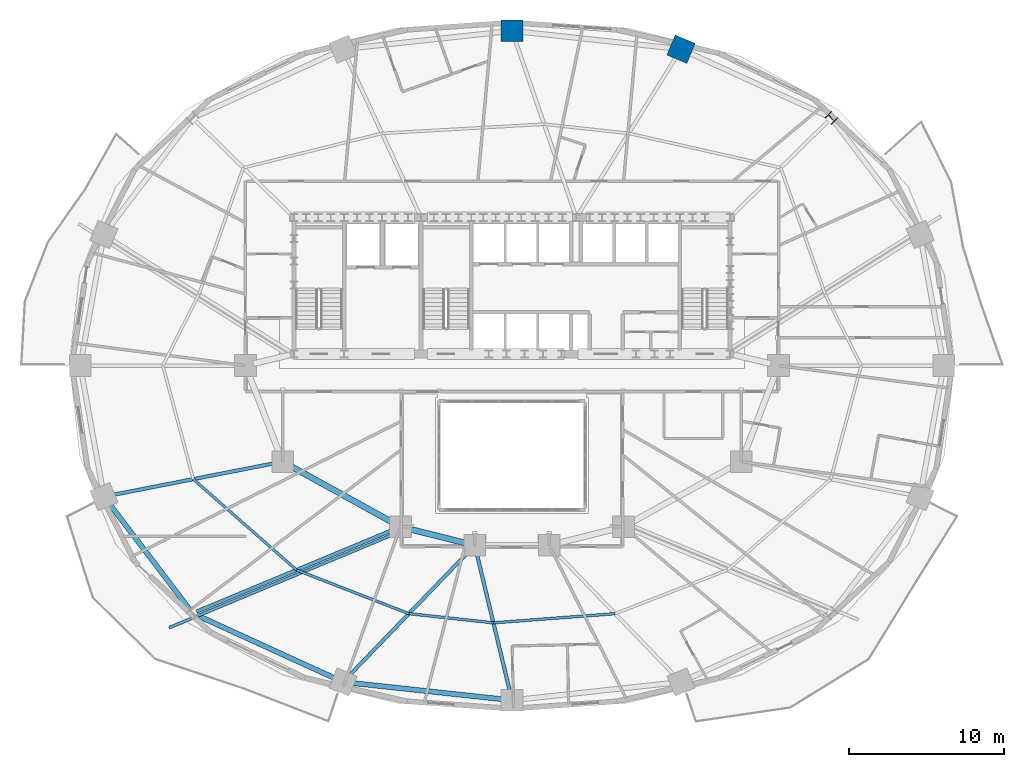
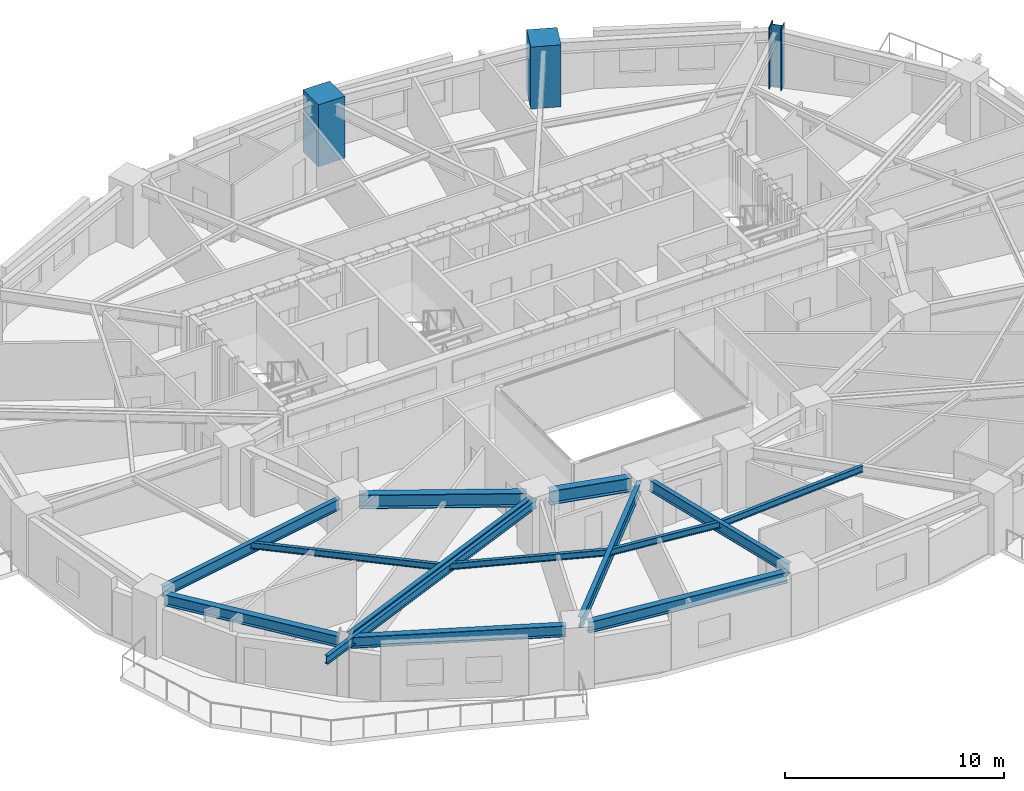
# One storey, part 2 of 15: 14 beams, 3 columns.
"""IFC4 building model written with IfcOpenShell, lengths in metres."""

import ifcopenshell
import ifcopenshell.guid

model = None  # the IFC model being written
_history = None  # IfcOwnerHistory: only IFC2X3 demands one
_inside = {}  # id of a spatial element -> (the spatial element, [elements in it])
_under = {}  # id of a project, library or spatial element -> (it, [spatial elements below it])
_declared = {}  # id of a project -> (the project, [libraries it declares])
_typed = {}  # id of a type object -> (the type object, [elements of that type])
_made_of = {}  # id of a material, layer set ... -> (it, [elements and type objects made of it])


def new_model(schema):
    """Start an empty IFC model of exactly this schema.

    Asked for "IFC4X3", IfcOpenShell would pick the latest addendum, in which some entities
    have other attributes; the version numbers below select the first issue.
    IFC2X3 requires an IfcOwnerHistory on every rooted entity: one is made here for all.
    """
    global model, _history
    if schema == "IFC4X3":
        model = ifcopenshell.file(schema_version=(4, 3, 0, 0))
    else:
        model = ifcopenshell.file(schema=schema)
    _inside.clear()
    _under.clear()
    _declared.clear()
    _typed.clear()
    _made_of.clear()
    _history = None
    if model.schema == "IFC2X3":
        org = make("IfcOrganization", Name="unknown")
        user = make(
            "IfcPersonAndOrganization",
            ThePerson=make("IfcPerson", FamilyName="unknown"),
            TheOrganization=org,
        )
        app = make(
            "IfcApplication",
            ApplicationDeveloper=org,
            Version="unknown",
            ApplicationFullName="unknown",
            ApplicationIdentifier="unknown",
        )
        _history = make(
            "IfcOwnerHistory",
            OwningUser=user,
            OwningApplication=app,
            ChangeAction="ADDED",
            CreationDate=0,
        )
    return model


def make(cls, **values):
    """One entity of the class cls with the attributes given. An attribute that is None is left unset."""
    return model.create_entity(
        cls, **{name: value for name, value in values.items() if value is not None}
    )


def rooted(cls, **values):
    """An entity with a GlobalId (a new one), such as an element, a storey or a relation."""
    return make(cls, GlobalId=ifcopenshell.guid.new(), OwnerHistory=_history, **values)


def si_unit(unit_type, name, prefix=None):
    """IfcSIUnit, for example si_unit("LENGTHUNIT", "METRE", prefix="MILLI")."""
    return make("IfcSIUnit", UnitType=unit_type, Prefix=prefix, Name=name)


def assignment(units):
    """IfcUnitAssignment: the units of a project."""
    return None if units is None else make("IfcUnitAssignment", Units=units)


def point(xyz):
    """IfcCartesianPoint."""
    return None if xyz is None else make("IfcCartesianPoint", Coordinates=xyz)


def direction(xyz):
    """IfcDirection."""
    return None if xyz is None else make("IfcDirection", DirectionRatios=xyz)


def frame(location, z_axis=None, x_axis=None):
    """IfcAxis2Placement3D, a coordinate frame: its origin and axes. An axis left out is left unset."""
    return make(
        "IfcAxis2Placement3D",
        Location=point(location),
        Axis=direction(z_axis),
        RefDirection=direction(x_axis),
    )


def frame_2d(location, x_axis=None):
    """IfcAxis2Placement2D, a coordinate frame in the plane: its origin and x axis."""
    return make(
        "IfcAxis2Placement2D", Location=point(location), RefDirection=direction(x_axis)
    )


def origin():
    """The frame at (0, 0, 0) with its axes left unset."""
    return frame((0.0, 0.0, 0.0))


def origin_2d():
    """The frame at (0, 0) in the plane with its x axis left unset."""
    return frame_2d((0.0, 0.0))


def place(relative_to, where):
    """IfcLocalPlacement: puts the frame where relative to a parent placement (None: the world)."""
    return make(
        "IfcLocalPlacement", PlacementRelTo=relative_to, RelativePlacement=where
    )


def context(
    kind, dimensions, precision=None, world=None, true_north=None, identifier=None
):
    """IfcGeometricRepresentationContext, for example the 3D "Model" context."""
    return make(
        "IfcGeometricRepresentationContext",
        ContextIdentifier=identifier,
        ContextType=kind,
        CoordinateSpaceDimension=dimensions,
        Precision=precision,
        WorldCoordinateSystem=world,
        TrueNorth=true_north,
    )


def subcontext(parent, identifier, kind, view, scale=None):
    """IfcGeometricRepresentationSubContext, for example "Body" below "Model"."""
    return make(
        "IfcGeometricRepresentationSubContext",
        ContextIdentifier=identifier,
        ContextType=kind,
        ParentContext=parent,
        TargetScale=scale,
        TargetView=view,
    )


def project(units=None, contexts=None):
    """IfcProject with its units and contexts."""
    return rooted(
        "IfcProject",
        Name="project",
        RepresentationContexts=contexts,
        UnitsInContext=assignment(units),
    )


def spatial(cls, under=None, at=None, **own):
    """A site, building, storey or space (cls), placed at a placement, below another one or the project."""
    s = rooted(cls, ObjectPlacement=at, **own)
    if under is not None:
        _under.setdefault(under.id(), (under, []))[1].append(s)
    return s


def profile(cls, at=None, kind="AREA", **sizes):
    """A parametric profile (cls). Its sizes go by their IFC names, for example OverallWidth=200.0."""
    return make(cls, ProfileType=kind, Position=at, **sizes)


def rectangle(**sizes):
    """IfcRectangleProfileDef."""
    return profile("IfcRectangleProfileDef", **sizes)


def i_section(**sizes):
    """IfcIShapeProfileDef."""
    return profile("IfcIShapeProfileDef", **sizes)


def extrude(swept, where, along, depth):
    """IfcExtrudedAreaSolid: the profile swept, set in the frame where, extruded along a direction by depth."""
    return make(
        "IfcExtrudedAreaSolid",
        SweptArea=swept,
        Position=where,
        ExtrudedDirection=direction(along),
        Depth=depth,
    )


def shape(context_of_items, identifier, shape_type, items):
    """IfcShapeRepresentation: the items that make up one representation, for example the "Body"."""
    return make(
        "IfcShapeRepresentation",
        ContextOfItems=context_of_items,
        RepresentationIdentifier=identifier,
        RepresentationType=shape_type,
        Items=items,
    )


def material(Name=None, Category=None):
    """IfcMaterial."""
    return make("IfcMaterial", Name=Name, Category=Category)


def material_profile(
    of_material, cross_section, Name=None, Category=None, Priority=None
):
    """IfcMaterialProfile: a cross section and its material."""
    return make(
        "IfcMaterialProfile",
        Name=Name,
        Material=of_material,
        Profile=cross_section,
        Priority=Priority,
        Category=Category,
    )


def profile_set(profiles, Name=None, composite=None):
    """IfcMaterialProfileSet."""
    return make(
        "IfcMaterialProfileSet",
        Name=Name,
        MaterialProfiles=profiles,
        CompositeProfile=composite,
    )


def made_of(thing, what):
    """Note that an element or type object is made of a material, layer set ...; save() writes the relation."""
    if what is not None:
        _made_of.setdefault(what.id(), (what, []))[1].append(thing)
    return thing


def type_object(cls, material=None, **own):
    """A type object (cls), such as IfcWallType, which elements share."""
    return made_of(rooted(cls, **own), material)


def element(
    cls,
    number,
    at=None,
    inside=None,
    cuts=None,
    type_object=None,
    material=None,
    context=None,
    identifier="Body",
    shape_type=None,
    held_by="IfcProductDefinitionShape",
    body=None,
    shapes=None,
    **own,
):
    """One element of the class cls, such as IfcWall. Its Tag is "e" and its number.

    at: its placement. inside: the storey or other place that contains it. cuts: it is an
    opening in that element (IfcRelVoidsElement). A single representation is given by context,
    identifier, shape_type and body (its items); several are given by shapes. held_by: the class
    of the entity that holds the representations. save() writes the other relations.
    """
    e = rooted(cls, Tag="e%d" % number, ObjectPlacement=at, **own)
    if body is not None:
        shapes = [shape(context, identifier, shape_type, body)]
    if shapes is not None:
        e.Representation = make(held_by, Representations=shapes)
    if inside is not None:
        _inside.setdefault(inside.id(), (inside, []))[1].append(e)
    if cuts is not None:
        rooted(
            "IfcRelVoidsElement", RelatingBuildingElement=cuts, RelatedOpeningElement=e
        )
    if type_object is not None:
        _typed.setdefault(type_object.id(), (type_object, []))[1].append(e)
    return made_of(e, material)


def aggregate(whole, parts):
    """IfcRelAggregates: a whole, such as a stair, and the parts it consists of."""
    return rooted("IfcRelAggregates", RelatingObject=whole, RelatedObjects=parts)


def save(model, path):
    """Write the relations noted so far, then the file.

    IfcRelAggregates (storeys below a building ...), IfcRelContainedInSpatialStructure (elements
    in a storey), IfcRelDefinesByType, IfcRelAssociatesMaterial and IfcRelDeclares: one each for
    every whole, place, type object, material and project.
    """
    for whole, parts in _under.values():
        aggregate(whole, parts)
    for where, things in _inside.values():
        rooted(
            "IfcRelContainedInSpatialStructure",
            RelatedElements=things,
            RelatingStructure=where,
        )
    for kind, things in _typed.values():
        rooted("IfcRelDefinesByType", RelatedObjects=things, RelatingType=kind)
    for what, things in _made_of.values():
        rooted("IfcRelAssociatesMaterial", RelatedObjects=things, RelatingMaterial=what)
    for by, libraries in _declared.values():
        rooted("IfcRelDeclares", RelatingContext=by, RelatedDefinitions=libraries)
    model.write(path)


model = new_model("IFC4")

# Units and contexts
model_context = context("Model", 3, precision=1e-05, world=origin(), true_north=direction((0.0, 1.0)))
body_context = subcontext(model_context, "Body", "Model", "MODEL_VIEW")
ifc_project = project(units=[si_unit("LENGTHUNIT", "METRE"), si_unit("AREAUNIT", "SQUARE_METRE"), si_unit("VOLUMEUNIT", "CUBIC_METRE"), si_unit("PLANEANGLEUNIT", "RADIAN"), si_unit("MASSUNIT", "GRAM", prefix="KILO")], contexts=[model_context])

# Site, building, storey
site_placement = place(None, origin())
site = spatial("IfcSite", under=ifc_project, at=site_placement, CompositionType="ELEMENT")
building_placement = place(site_placement, origin())
building = spatial("IfcBuilding", under=site, at=building_placement, Name="Haldorwick Loom Tower", CompositionType="ELEMENT")
storey_placement = place(building_placement, frame((0.0, 0.0, 85.25)))
storey = spatial("IfcBuildingStorey", under=building, at=storey_placement, Name="L22", CompositionType="ELEMENT", Elevation=85.25)

# Columns
ifc_material_1 = material(Name="Concrete C60 (60 MPa)", Category="concrete")
ifc_material_profile_1 = material_profile(ifc_material_1, rectangle(XDim=1.39990234375, YDim=1.39990234375, at=origin_2d()), Name="RC1400X1400", Category="concrete")
ifc_profile_set_1 = profile_set([ifc_material_profile_1], Name="Concrete C60 (60 MPa)")
column_type_1 = type_object("IfcColumnType", Name="STR-COL-RC1400", PredefinedType="PILASTER", material=ifc_profile_set_1)
for number, where, z_axis, x_axis, name in (
    (1, (46.906494140625, 46.417724609375, 0.0), (0.0, 0.0, 1.0), (0.382683432365, 0.923879532511, 0.0), "L22 Perimeter Pier Column P04"),
    (2, (36.0, 47.598388671875, 0.0), (0.0, 0.0, 1.0), (0.0, 1.0, 0.0), "L22 Perimeter Pier Column P05"),
):
    element("IfcColumn", number, at=place(storey_placement, frame(where, z_axis=z_axis, x_axis=x_axis)), inside=storey, type_object=column_type_1, Name=name, PredefinedType="PILASTER", context=body_context, shape_type="SweptSolid", body=[
        extrude(rectangle(XDim=1.39990234375, YDim=1.39990234375, at=origin_2d()), origin(), (0.0, 0.0, 1.0), 3.449951171875),
    ])
ifc_material_2 = material(Name="Steel CSA G40.21 350WT", Category="steel")
ifc_material_profile_2 = material_profile(ifc_material_2, i_section(OverallWidth=0.60009765625, OverallDepth=0.60009765625, WebThickness=0.02490234375, FlangeThickness=0.035888671875, at=origin_2d()), Name="WWF600X600", Category="steel")
ifc_profile_set_2 = profile_set([ifc_material_profile_2], Name="Steel CSA G40.21 350WT")
column_type_2 = type_object("IfcColumnType", Name="STR-COL-WWF600", PredefinedType="COLUMN", material=ifc_profile_set_2)
column_placement = place(storey_placement, frame((56.606689453125, 41.981689453125, 0.0), z_axis=(0.0, 0.0, 1.0), x_axis=(0.707106781187, 0.707106781187, 0.0)))
element("IfcColumn", 3, at=column_placement, inside=storey, type_object=column_type_2, Name="L22 Perimeter Pier Column P03", PredefinedType="COLUMN", context=body_context, shape_type="SweptSolid", body=[
    extrude(i_section(OverallWidth=0.60009765625, OverallDepth=0.60009765625, WebThickness=0.02490234375, FlangeThickness=0.035888671875, at=origin_2d()), origin(), (0.0, 0.0, 1.0), 3.449951171875),
])

# Beams
ifc_material_3 = material(Name="Steel CSA G40.21 350W", Category="steel")
ifc_material_profile_3 = material_profile(ifc_material_3, i_section(OverallWidth=0.193115234375, OverallDepth=0.466064453125, WebThickness=0.011474609375, FlangeThickness=0.01904296875, at=origin_2d()), Name="W460X97", Category="steel")
ifc_profile_set_3 = profile_set([ifc_material_profile_3], Name="Steel CSA G40.21 350W")
beam_type_1 = type_object("IfcBeamType", Name="STR-BM-BAL460", PredefinedType="BEAM", material=ifc_profile_set_3)
beam_1_placement = place(storey_placement, frame((28.427490234375, 15.1416015625, 2.97705078125), z_axis=(-0.923185561192, -0.38435454935, 0.0), x_axis=(0.38435454935, -0.923185561192, 0.0)))
element("IfcBeam", 4, at=beam_1_placement, inside=storey, type_object=beam_type_1, Name="L22 Continuous Back-Spanned Balcony Beam 2", PredefinedType="BEAM", context=body_context, shape_type="SweptSolid", body=[
    extrude(i_section(OverallWidth=0.193115234375, OverallDepth=0.466064453125, WebThickness=0.011474609375, FlangeThickness=0.01904296875, at=origin_2d()), origin(), (0.0, 0.0, 1.0), 15.752197265625),
])
ifc_material_profile_4 = material_profile(ifc_material_3, i_section(OverallWidth=0.172119140625, OverallDepth=0.35791015625, WebThickness=0.0078125, FlangeThickness=0.01318359375, at=origin_2d()), Name="W360X57", Category="steel")
ifc_profile_set_4 = profile_set([ifc_material_profile_4], Name="Steel CSA G40.21 350W")
beam_type_2 = type_object("IfcBeamType", Name="STR-BM-J360", PredefinedType="JOIST", material=ifc_profile_set_4)
beam_2_placement = place(storey_placement, frame((15.434814453125, 18.67138671875, 3.031005859375), z_axis=(0.750721157729, -0.660619212057, 0.0), x_axis=(0.660619212057, 0.750721157729, 0.0)))
element("IfcBeam", 5, at=beam_2_placement, inside=storey, type_object=beam_type_2, Name="L22 Mid-Bay Secondary Joist 10", PredefinedType="JOIST", context=body_context, shape_type="SweptSolid", body=[
    extrude(i_section(OverallWidth=0.172119140625, OverallDepth=0.35791015625, WebThickness=0.0078125, FlangeThickness=0.01318359375, at=origin_2d()), origin(), (0.0, 0.0, 1.0), 8.8740234375),
])
beam_3_placement = place(storey_placement, frame((22.0966796875, 12.80908203125, 3.031005859375), z_axis=(0.932072983051, -0.362270553959, 0.0), x_axis=(0.362270553959, 0.932072983051, 0.0)))
element("IfcBeam", 6, at=beam_3_placement, inside=storey, type_object=beam_type_2, Name="L22 Mid-Bay Secondary Joist 11", PredefinedType="JOIST", context=body_context, shape_type="SweptSolid", body=[
    extrude(i_section(OverallWidth=0.172119140625, OverallDepth=0.35791015625, WebThickness=0.0078125, FlangeThickness=0.01318359375, at=origin_2d()), origin(), (0.0, 0.0, 1.0), 7.7783203125),
])
beam_4_placement = place(storey_placement, frame((29.3466796875, 9.9912109375, 3.031005859375), z_axis=(0.994191869342, -0.107622148904, 0.0), x_axis=(0.107622148904, 0.994191869342, 0.0)))
element("IfcBeam", 7, at=beam_4_placement, inside=storey, type_object=beam_type_2, Name="L22 Mid-Bay Secondary Joist 12", PredefinedType="JOIST", context=body_context, shape_type="SweptSolid", body=[
    extrude(i_section(OverallWidth=0.172119140625, OverallDepth=0.35791015625, WebThickness=0.0078125, FlangeThickness=0.01318359375, at=origin_2d()), origin(), (0.0, 0.0, 1.0), 5.485107421875),
])
beam_5_placement = place(storey_placement, frame((34.800048828125, 9.40087890625, 3.031005859375), z_axis=(0.99718663731, 0.074958724439, 0.0), x_axis=(-0.074958724439, 0.99718663731, 0.0)))
element("IfcBeam", 8, at=beam_5_placement, inside=storey, type_object=beam_type_2, Name="L22 Mid-Bay Secondary Joist 13", PredefinedType="JOIST", context=body_context, shape_type="SweptSolid", body=[
    extrude(i_section(OverallWidth=0.172119140625, OverallDepth=0.35791015625, WebThickness=0.0078125, FlangeThickness=0.01318359375, at=origin_2d()), origin(), (0.0, 0.0, 1.0), 7.87548828125),
])
ifc_material_profile_5 = material_profile(ifc_material_3, i_section(OverallWidth=0.324951171875, OverallDepth=0.615966796875, WebThickness=0.013916015625, FlangeThickness=0.021484375, at=origin_2d()), Name="W610X174", Category="steel")
ifc_profile_set_5 = profile_set([ifc_material_profile_5], Name="Steel CSA G40.21 350W")
beam_type_3 = type_object("IfcBeamType", Name="STR-BM-SP610", PredefinedType="SPANDREL", material=ifc_profile_set_5)
beam_6_placement = place(storey_placement, frame((9.984130859375, 17.12890625, 2.902099609375), z_axis=(0.605453508047, -0.795880675475, 0.0), x_axis=(0.795880675475, 0.605453508047, 0.0)))
element("IfcBeam", 9, at=beam_6_placement, inside=storey, type_object=beam_type_3, Name="L22 Perimeter Spandrel 10", PredefinedType="SPANDREL", context=body_context, shape_type="SweptSolid", body=[
    extrude(i_section(OverallWidth=0.324951171875, OverallDepth=0.615966796875, WebThickness=0.013916015625, FlangeThickness=0.021484375, at=origin_2d()), origin(), (0.0, 0.0, 1.0), 8.6591796875),
])
beam_7_placement = place(storey_placement, frame((15.643310546875, 9.90380859375, 2.902099609375), z_axis=(0.909423969306, -0.415870225011, 0.0), x_axis=(0.415870225011, 0.909423969306, 0.0)))
element("IfcBeam", 10, at=beam_7_placement, inside=storey, type_object=beam_type_3, Name="L22 Perimeter Spandrel 11", PredefinedType="SPANDREL", context=body_context, shape_type="SweptSolid", body=[
    extrude(i_section(OverallWidth=0.324951171875, OverallDepth=0.615966796875, WebThickness=0.013916015625, FlangeThickness=0.021484375, at=origin_2d()), origin(), (0.0, 0.0, 1.0), 9.871337890625),
])
beam_8_placement = place(storey_placement, frame((25.610595703125, 5.5263671875, 2.902099609375), z_axis=(0.994190135627, -0.107638163409, 0.0), x_axis=(0.107638163409, 0.994190135627, 0.0)))
element("IfcBeam", 11, at=beam_8_placement, inside=storey, type_object=beam_type_3, Name="L22 Perimeter Spandrel 12", PredefinedType="SPANDREL", context=body_context, shape_type="SweptSolid", body=[
    extrude(i_section(OverallWidth=0.324951171875, OverallDepth=0.615966796875, WebThickness=0.013916015625, FlangeThickness=0.021484375, at=origin_2d()), origin(), (0.0, 0.0, 1.0), 9.929931640625),
])
ifc_material_profile_6 = material_profile(ifc_material_3, i_section(OverallWidth=0.22998046875, OverallDepth=0.616943359375, WebThickness=0.01318359375, FlangeThickness=0.022216796875, at=origin_2d()), Name="W610X140", Category="steel")
ifc_profile_set_6 = profile_set([ifc_material_profile_6], Name="Steel CSA G40.21 350W")
beam_type_4 = type_object("IfcBeamType", Name="STR-BM-W610B", PredefinedType="BEAM", material=ifc_profile_set_6)
beam_9_placement = place(storey_placement, frame((20.689697265625, 19.7001953125, 2.901611328125), z_axis=(-0.981369581426, -0.192129499692, 0.0), x_axis=(0.192129499692, -0.981369581426, 0.0)))
element("IfcBeam", 12, at=beam_9_placement, inside=storey, type_object=beam_type_4, Name="L22 Radial Floor Girder 10", PredefinedType="BEAM", context=body_context, shape_type="SweptSolid", body=[
    extrude(i_section(OverallWidth=0.22998046875, OverallDepth=0.616943359375, WebThickness=0.01318359375, FlangeThickness=0.022216796875, at=origin_2d()), origin(), (0.0, 0.0, 1.0), 10.70947265625),
])
beam_10_placement = place(storey_placement, frame((28.31982421875, 15.400146484375, 2.901611328125), z_axis=(-0.923183704764, -0.384359008297, 0.0), x_axis=(0.384359008297, -0.923183704764, 0.0)))
element("IfcBeam", 13, at=beam_10_placement, inside=storey, type_object=beam_type_4, Name="L22 Radial Floor Girder 11", PredefinedType="BEAM", context=body_context, shape_type="SweptSolid", body=[
    extrude(i_section(OverallWidth=0.22998046875, OverallDepth=0.616943359375, WebThickness=0.01318359375, FlangeThickness=0.022216796875, at=origin_2d()), origin(), (0.0, 0.0, 1.0), 13.72705078125),
])
beam_11_placement = place(storey_placement, frame((33.239013671875, 14.02587890625, 2.901611328125), z_axis=(-0.694287071595, -0.719698174387, 0.0), x_axis=(0.719698174387, -0.694287071595, 0.0)))
element("IfcBeam", 14, at=beam_11_placement, inside=storey, type_object=beam_type_4, Name="L22 Radial Floor Girder 12", PredefinedType="BEAM", context=body_context, shape_type="SweptSolid", body=[
    extrude(i_section(OverallWidth=0.22998046875, OverallDepth=0.616943359375, WebThickness=0.01318359375, FlangeThickness=0.022216796875, at=origin_2d()), origin(), (0.0, 0.0, 1.0), 11.212158203125),
])
beam_12_placement = place(storey_placement, frame((33.721435546875, 13.894287109375, 2.901611328125), z_axis=(0.233406920764, -0.972379148964, 0.0), x_axis=(0.972379148964, 0.233406920764, 0.0)))
element("IfcBeam", 15, at=beam_12_placement, inside=storey, type_object=beam_type_4, Name="L22 Radial Floor Girder 13", PredefinedType="BEAM", context=body_context, shape_type="SweptSolid", body=[
    extrude(i_section(OverallWidth=0.22998046875, OverallDepth=0.616943359375, WebThickness=0.01318359375, FlangeThickness=0.022216796875, at=origin_2d()), origin(), (0.0, 0.0, 1.0), 9.242431640625),
])
ifc_material_profile_7 = material_profile(ifc_material_3, i_section(OverallWidth=0.381103515625, OverallDepth=0.77294921875, WebThickness=0.0166015625, FlangeThickness=0.027587890625, at=origin_2d()), Name="W760X257", Category="steel")
ifc_profile_set_7 = profile_set([ifc_material_profile_7], Name="Steel CSA G40.21 350W")
beam_type_5 = type_object("IfcBeamType", Name="STR-BM-W760", PredefinedType="BEAM", material=ifc_profile_set_7)
beam_13_placement = place(storey_placement, frame((33.095458984375, 14.526123046875, 2.823486328125), z_axis=(-0.970142500145, 0.242535625036, 0.0), x_axis=(-0.242535625036, -0.970142500145, 0.0)))
element("IfcBeam", 16, at=beam_13_placement, inside=storey, type_object=beam_type_5, Name="L22 Inner Ring Girder 6", PredefinedType="BEAM", context=body_context, shape_type="SweptSolid", body=[
    extrude(i_section(OverallWidth=0.381103515625, OverallDepth=0.77294921875, WebThickness=0.0166015625, FlangeThickness=0.027587890625, at=origin_2d()), origin(), (0.0, 0.0, 1.0), 3.90771484375),
])
beam_14_placement = place(storey_placement, frame((28.344970703125, 15.8515625, 2.823486328125), z_axis=(-0.875244382146, 0.483680960471, 0.0), x_axis=(-0.483680960471, -0.875244382146, 0.0)))
element("IfcBeam", 17, at=beam_14_placement, inside=storey, type_object=beam_type_5, Name="L22 Inner Ring Girder 7", PredefinedType="BEAM", context=body_context, shape_type="SweptSolid", body=[
    extrude(i_section(OverallWidth=0.381103515625, OverallDepth=0.77294921875, WebThickness=0.0166015625, FlangeThickness=0.027587890625, at=origin_2d()), origin(), (0.0, 0.0, 1.0), 7.6435546875),
])

save(model, "model.ifc")
